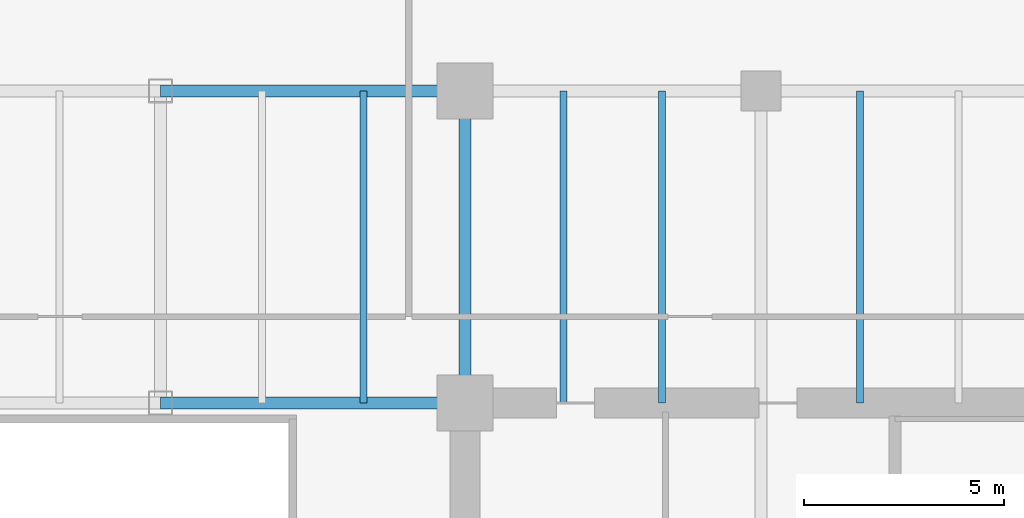
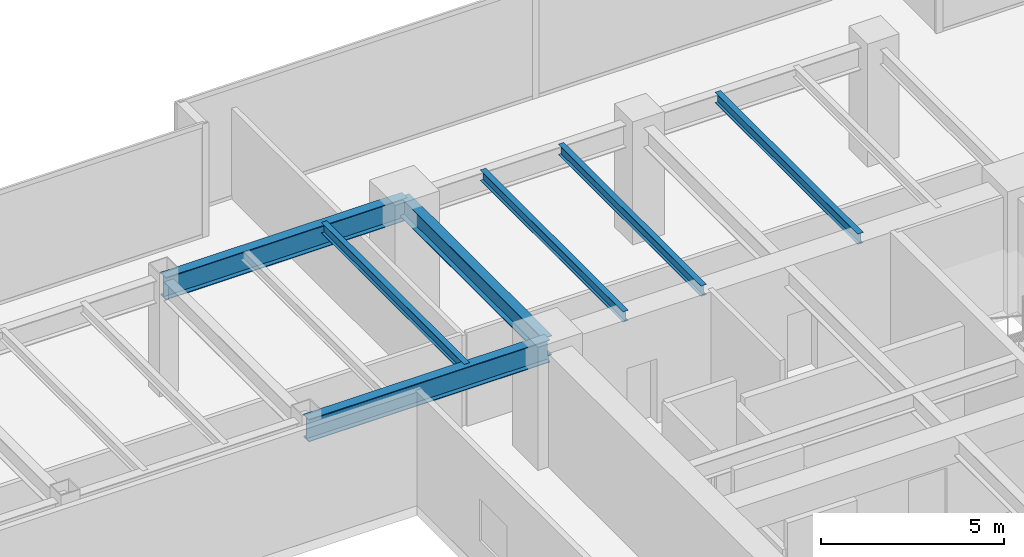
# One storey, part 19 of 35: 7 beams.
"""IFC4 building model written with IfcOpenShell, lengths in metres."""

from ifc_helpers import new_model, si_unit, direction, frame, origin, origin_2d, place, context, subcontext, project, spatial, i_section, extrude, source, transform, mapped, material, material_profile, profile_set, type_object, type_shapes, element, save


model = new_model("IFC4")

# Units and contexts
model_context = context("Model", 3, precision=1e-05, world=origin(), true_north=direction((0.0, 1.0)))
body_context = subcontext(model_context, "Body", "Model", "MODEL_VIEW")
ifc_project = project(units=[si_unit("LENGTHUNIT", "METRE"), si_unit("AREAUNIT", "SQUARE_METRE"), si_unit("VOLUMEUNIT", "CUBIC_METRE"), si_unit("PLANEANGLEUNIT", "RADIAN"), si_unit("MASSUNIT", "GRAM", prefix="KILO")], contexts=[model_context])

# Site, building, storey
site_placement = place(None, origin())
site = spatial("IfcSite", under=ifc_project, at=site_placement, CompositionType="ELEMENT")
building_placement = place(site_placement, origin())
building = spatial("IfcBuilding", under=site, at=building_placement, Name="Haelvirn Gate Laboratories", CompositionType="ELEMENT")
storey_placement = place(building_placement, frame((0.0, 0.0, 90.800048828125)))
storey = spatial("IfcBuildingStorey", under=building, at=storey_placement, Name="L22", CompositionType="ELEMENT", Elevation=90.800048828125)

# Beams
ifc_material = material(Name="Steel SM355", Category="steel")
ifc_material_profile_1 = material_profile(ifc_material, i_section(OverallWidth=0.300048828125, OverallDepth=0.75, WebThickness=0.013916015625, FlangeThickness=0.02392578125, at=origin_2d()), Name="H-750x300x14x24")
ifc_profile_set_1 = profile_set([ifc_material_profile_1], Name="Steel SM355")
beam_type_1 = type_object("IfcBeamType", Name="BM-G-750", PredefinedType="BEAM", material=ifc_profile_set_1)
shared_shape_1 = source(origin(), body_context, "Body", "SweptSolid", [
    extrude(i_section(OverallWidth=0.300048828125, OverallDepth=0.75, WebThickness=0.013916015625, FlangeThickness=0.02392578125, at=origin_2d()), origin(), (0.0, 0.0, 1.0), 7.60009765625),
])
type_shapes(beam_type_1, [shared_shape_1])
for number, where, z_axis, x_axis, name in (
    (1, (45.0, 33.800048828125, 3.405029296875), (1.0, 0.0, 0.0), (0.0, 1.0, 0.0), "L22 Primary Girder Y33.8 (45.0-52.6)"),
    (2, (45.0, 41.60009765625, 3.405029296875), (1.0, 0.0, 0.0), (0.0, 1.0, 0.0), "L22 Primary Girder Y41.6 (45.0-52.6)"),
):
    element("IfcBeam", number, at=place(storey_placement, frame(where, z_axis=z_axis, x_axis=x_axis)), inside=storey, type_object=beam_type_1, Name=name, PredefinedType="BEAM", context=body_context, shape_type="MappedRepresentation", body=[
        mapped(shared_shape_1, transform((0.0, 0.0, 0.0), scale=1.0)),
    ])
ifc_material_profile_2 = material_profile(ifc_material, i_section(OverallWidth=0.175048828125, OverallDepth=0.35009765625, WebThickness=0.007080078125, FlangeThickness=0.010986328125, at=origin_2d()), Name="H-350x175x7x11")
ifc_profile_set_2 = profile_set([ifc_material_profile_2], Name="Steel SM355")
beam_type_2 = type_object("IfcBeamType", Name="BM-J-350", PredefinedType="JOIST", material=ifc_profile_set_2)
shared_shape_2 = source(origin(), body_context, "Body", "SweptSolid", [
    extrude(i_section(OverallWidth=0.175048828125, OverallDepth=0.35009765625, WebThickness=0.007080078125, FlangeThickness=0.010986328125, at=origin_2d()), origin(), (0.0, 0.0, 1.0), 7.800048828125),
])
type_shapes(beam_type_2, [shared_shape_2])
for number, where, z_axis, x_axis, name in (
    (3, (50.070068359375, 33.800048828125, 3.60498046875), (0.0, 1.0, 0.0), (-1.0, 0.0, 0.0), "L22 Composite Lab Joist North X50.07"),
    (4, (55.070068359375, 33.800048828125, 3.60498046875), (0.0, 1.0, 0.0), (-1.0, 0.0, 0.0), "L22 Composite Lab Joist North X55.07"),
    (5, (57.530029296875, 33.800048828125, 3.60498046875), (0.0, 1.0, 0.0), (-1.0, 0.0, 0.0), "L22 Composite Lab Joist North X57.53"),
    (6, (62.469970703125, 33.800048828125, 3.60498046875), (0.0, 1.0, 0.0), (-1.0, 0.0, 0.0), "L22 Composite Lab Joist North X62.47"),
):
    element("IfcBeam", number, at=place(storey_placement, frame(where, z_axis=z_axis, x_axis=x_axis)), inside=storey, type_object=beam_type_2, Name=name, PredefinedType="JOIST", context=body_context, shape_type="MappedRepresentation", body=[
        mapped(shared_shape_2, transform((0.0, 0.0, 0.0), scale=1.0)),
    ])
ifc_material_profile_3 = material_profile(ifc_material, i_section(OverallWidth=0.300048828125, OverallDepth=0.64990234375, WebThickness=0.012939453125, FlangeThickness=0.02197265625, at=origin_2d()), Name="H-650x300x13x22")
ifc_profile_set_3 = profile_set([ifc_material_profile_3], Name="Steel SM355")
beam_type_3 = type_object("IfcBeamType", Name="BM-G-650", PredefinedType="BEAM", material=ifc_profile_set_3)
shared_shape_3 = source(origin(), body_context, "Body", "SweptSolid", [
    extrude(i_section(OverallWidth=0.300048828125, OverallDepth=0.64990234375, WebThickness=0.012939453125, FlangeThickness=0.02197265625, at=origin_2d()), origin(), (0.0, 0.0, 1.0), 7.800048828125),
])
type_shapes(beam_type_3, [shared_shape_3])
beam_placement = place(storey_placement, frame((52.60009765625, 33.800048828125, 3.454833984375), z_axis=(0.0, 1.0, 0.0), x_axis=(-1.0, 0.0, 0.0)))
element("IfcBeam", 7, at=beam_placement, inside=storey, type_object=beam_type_3, Name="L22 Frame Girder X52.6 (33.8-41.6)", PredefinedType="BEAM", context=body_context, shape_type="MappedRepresentation", body=[
    mapped(shared_shape_3, transform((0.0, 0.0, 0.0), scale=1.0)),
])

save(model, "model.ifc")
